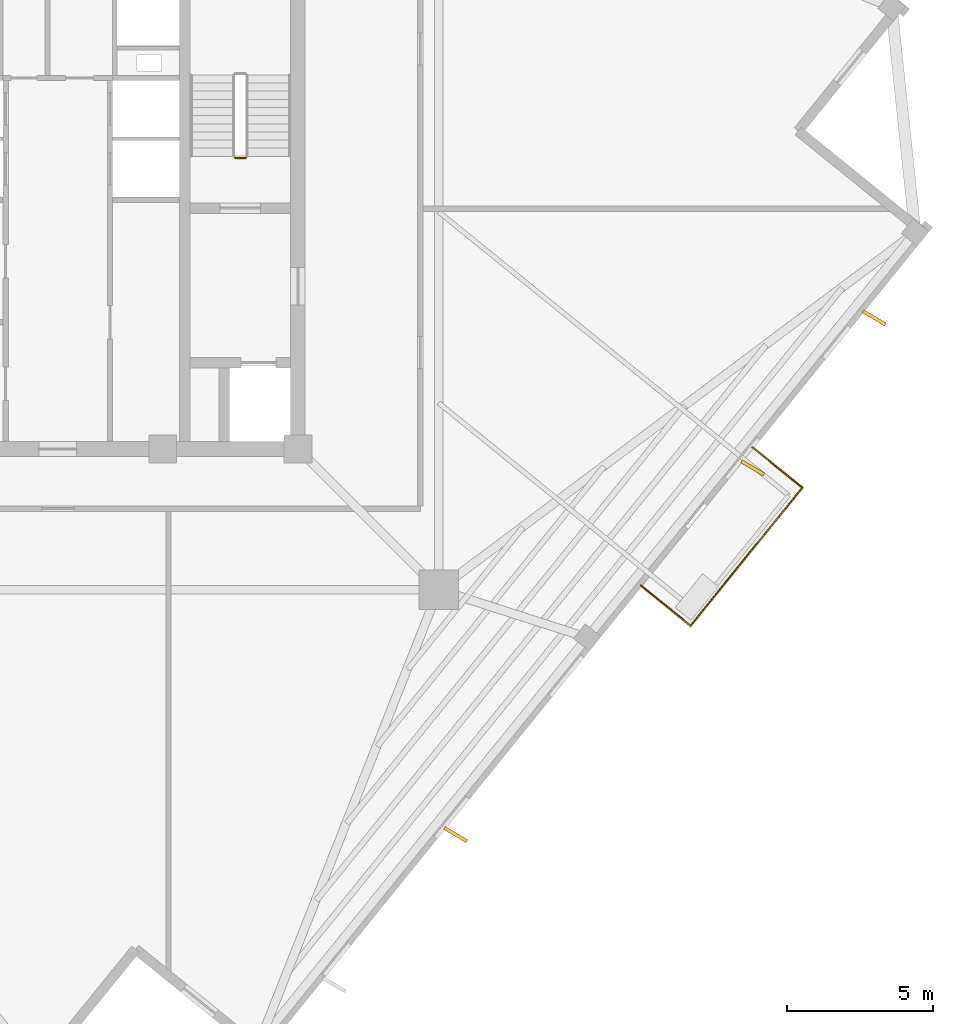
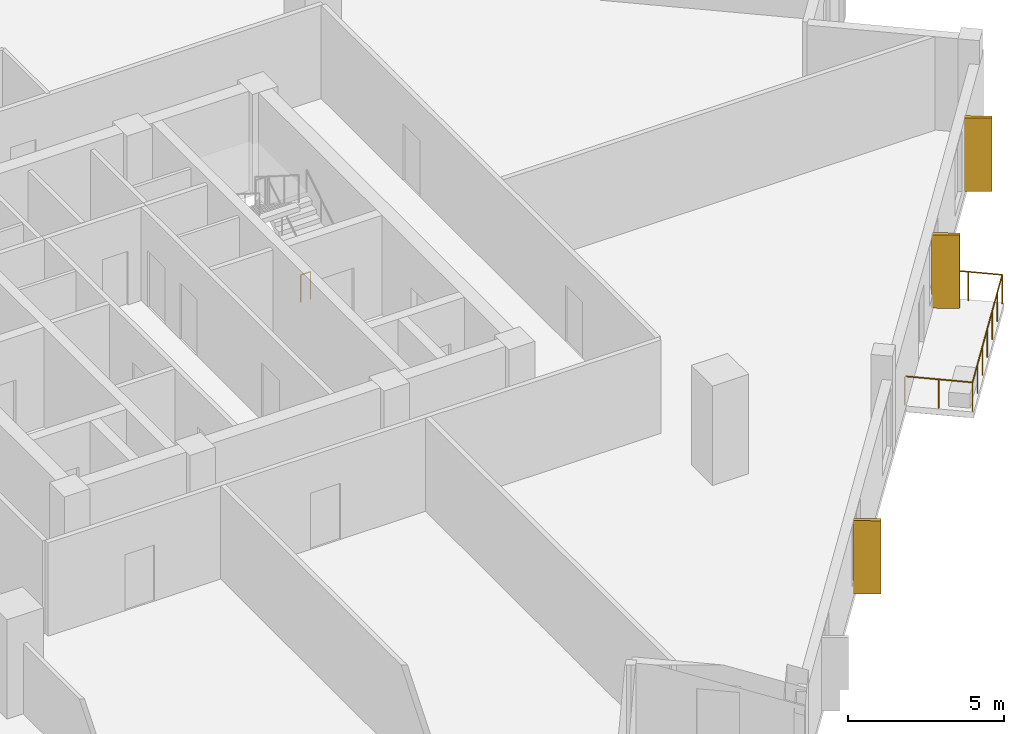
# One storey, part 7 of 9: 4 railings, 3 coverings.
"""IFC4 building model written with IfcOpenShell, lengths in metres."""

from ifc_helpers import new_model, si_unit, direction, frame, origin, origin_2d, place, context, subcontext, project, spatial, rectangle, circle, extrude, source, transform, mapped, material, layer, layer_set, type_object, element, save


model = new_model("IFC4")

# Units and contexts
model_context = context("Model", 3, precision=1e-05, world=origin(), true_north=direction((0.0, 1.0)))
body_context = subcontext(model_context, "Body", "Model", "MODEL_VIEW")
ifc_project = project(units=[si_unit("LENGTHUNIT", "METRE"), si_unit("AREAUNIT", "SQUARE_METRE"), si_unit("VOLUMEUNIT", "CUBIC_METRE"), si_unit("PLANEANGLEUNIT", "RADIAN"), si_unit("MASSUNIT", "GRAM", prefix="KILO"), si_unit("THERMODYNAMICTEMPERATUREUNIT", "KELVIN")], contexts=[model_context])

# Site, building, storey
site_placement = place(None, origin())
site = spatial("IfcSite", under=ifc_project, at=site_placement, CompositionType="ELEMENT")
building_placement = place(site_placement, origin())
building = spatial("IfcBuilding", under=site, at=building_placement, Name="Kosmvard Interchange Tower", CompositionType="ELEMENT")
storey_placement = place(building_placement, frame((0.0, 0.0, 244.60009765625)))
storey = spatial("IfcBuildingStorey", under=building, at=storey_placement, Name="L59", CompositionType="ELEMENT", Elevation=244.60009765625)

# Railings
ifc_material_1 = material(Name="Steel S355", Category="steel")
railing_type_1 = type_object("IfcRailingType", Name="Observation & Balcony Glass-Infill Balustrade 1150", PredefinedType="BALUSTRADE", material=ifc_material_1)
shared_shape_1 = source(origin(), body_context, "Body", "SweptSolid", [
    extrude(circle(Radius=0.02392578125, at=origin_2d()), frame((0.0, 0.0, 1.1259765625), z_axis=(0.777141488432, -0.629325914736, 0.0), x_axis=(0.629325914736, 0.777141488432, 0.0)), (0.0, 0.0, 1.0), 2.199951171875),
    extrude(circle(Radius=0.02099609375, at=origin_2d()), origin(), (0.0, 0.0, 1.0), 1.101806640625),
    extrude(circle(Radius=0.02099609375, at=origin_2d()), frame((0.85498046875, -0.6923828125, 0.0)), (0.0, 0.0, 1.0), 1.101806640625),
    extrude(circle(Radius=0.02099609375, at=origin_2d()), frame((1.709716796875, -1.384521484375, 0.0)), (0.0, 0.0, 1.0), 1.101806640625),
])
railing_1_placement = place(storey_placement, frame((20.023193359375, -12.93310546875, 0.0)))
element("IfcRailing", 1, at=railing_1_placement, inside=storey, type_object=railing_type_1, Name="L59 Outdoor Terrace Guard BAL-L59-SW-A", PredefinedType="BALUSTRADE", context=body_context, shape_type="MappedRepresentation", body=[
    mapped(shared_shape_1, transform((0.0, 0.0, 0.0), scale=1.0)),
])
shared_shape_2 = source(origin(), body_context, "Body", "SweptSolid", [
    extrude(circle(Radius=0.02392578125, at=origin_2d()), frame((0.0, 0.0, 1.1259765625), z_axis=(-0.777141488432, 0.629325914736, 0.0), x_axis=(-0.629325914736, -0.777141488432, 0.0)), (0.0, 0.0, 1.0), 2.199951171875),
    extrude(circle(Radius=0.02099609375, at=origin_2d()), origin(), (0.0, 0.0, 1.0), 1.101806640625),
    extrude(circle(Radius=0.02099609375, at=origin_2d()), frame((-0.85498046875, 0.6923828125, 0.0)), (0.0, 0.0, 1.0), 1.101806640625),
    extrude(circle(Radius=0.02099609375, at=origin_2d()), frame((-1.709716796875, 1.384521484375, 0.0)), (0.0, 0.0, 1.0), 1.101806640625),
])
railing_2_placement = place(storey_placement, frame((25.57177734375, -9.5771484375, 0.0)))
element("IfcRailing", 2, at=railing_2_placement, inside=storey, type_object=railing_type_1, Name="L59 Outdoor Terrace Guard BAL-L59-SW-C", PredefinedType="BALUSTRADE", context=body_context, shape_type="MappedRepresentation", body=[
    mapped(shared_shape_2, transform((0.0, 0.0, 0.0), scale=1.0)),
])

# Coverings
ifc_material_2 = material(Name="Architectural anodised aluminium", Category="aluminium")
ifc_layer = layer(ifc_material_2, 0.1201171875, Name="Architectural anodised aluminium")
ifc_layer_set = layer_set([ifc_layer], Name="Architectural anodised aluminium")
covering_type = type_object("IfcCoveringType", Name="Rotating Vertical Sun-Breaker Fin 900x120 Aluminium", PredefinedType="CLADDING", material=ifc_layer_set)
shared_shape_3 = source(origin(), body_context, "Body", "SweptSolid", [
    extrude(rectangle(XDim=0.89990234375, YDim=0.1201171875, at=origin_2d()), origin(), (0.0, 0.0, 1.0), 2.8798828125),
])
for number, where, z_axis, x_axis, name in (
    (3, (13.66748046875, -21.49658203125, 0.0400390625), (0.0, 0.0, 1.0), (0.860208488223, -0.509942503415, 0.0), "L59 Rotating Vertical Sun-Breaker Fin 02"),
    (4, (23.86865234375, -8.8994140625, 0.0400390625), (0.0, 0.0, 1.0), (0.860208488223, -0.509942503415, 0.0), "L59 Rotating Vertical Sun-Breaker Fin 03"),
    (5, (28.041748046875, -3.74609375, 0.0400390625), (0.0, 0.0, 1.0), (0.860208488223, -0.509942503415, 0.0), "L59 Rotating Vertical Sun-Breaker Fin 04"),
):
    element("IfcCovering", number, at=place(storey_placement, frame(where, z_axis=z_axis, x_axis=x_axis)), inside=storey, type_object=covering_type, Name=name, PredefinedType="CLADDING", context=body_context, shape_type="MappedRepresentation", body=[
        mapped(shared_shape_3, transform((0.0, 0.0, 0.0), scale=1.0)),
    ])

# Railings
shared_shape_4 = source(origin(), body_context, "Body", "SweptSolid", [
    extrude(circle(Radius=0.02392578125, at=origin_2d()), frame((0.0, 0.0, 1.1259765625), z_axis=(0.629330626282, 0.777137673017, 0.0), x_axis=(-0.777137673017, 0.629330626282, 0.0)), (0.0, 0.0, 1.0), 6.099853515625),
    extrude(circle(Radius=0.02099609375, at=origin_2d()), origin(), (0.0, 0.0, 1.0), 1.101806640625),
    extrude(circle(Radius=0.02099609375, at=origin_2d()), frame((0.639892578125, 0.7900390625, 0.0)), (0.0, 0.0, 1.0), 1.101806640625),
    extrude(circle(Radius=0.02099609375, at=origin_2d()), frame((1.279541015625, 1.580078125, 0.0)), (0.0, 0.0, 1.0), 1.101806640625),
    extrude(circle(Radius=0.02099609375, at=origin_2d()), frame((1.91943359375, 2.3701171875, 0.0)), (0.0, 0.0, 1.0), 1.101806640625),
    extrude(circle(Radius=0.02099609375, at=origin_2d()), frame((2.559326171875, 3.160400390625, 0.0)), (0.0, 0.0, 1.0), 1.101806640625),
    extrude(circle(Radius=0.02099609375, at=origin_2d()), frame((3.198974609375, 3.950439453125, 0.0)), (0.0, 0.0, 1.0), 1.101806640625),
    extrude(circle(Radius=0.02099609375, at=origin_2d()), frame((3.8388671875, 4.740478515625, 0.0)), (0.0, 0.0, 1.0), 1.101806640625),
])
railing_3_placement = place(storey_placement, frame((21.73291015625, -14.317626953125, 0.0)))
element("IfcRailing", 6, at=railing_3_placement, inside=storey, type_object=railing_type_1, Name="L59 Outdoor Terrace Guard BAL-L59-SW-B", PredefinedType="BALUSTRADE", context=body_context, shape_type="MappedRepresentation", body=[
    mapped(shared_shape_4, transform((0.0, 0.0, 0.0), scale=1.0)),
])
railing_type_2 = type_object("IfcRailingType", Name="Stair & Terrace Safety Guardrail 1100 Steel", PredefinedType="GUARDRAIL", material=ifc_material_1)
shared_shape_5 = source(origin(), body_context, "Body", "SweptSolid", [
    extrude(circle(Radius=0.02392578125, at=origin_2d()), frame((0.0, 0.0, 1.076171875), z_axis=(-1.0, 0.0, 0.0), x_axis=(0.0, -1.0, 0.0)), (0.0, 0.0, 1.0), 0.35986328125),
    extrude(circle(Radius=0.02099609375, at=origin_2d()), origin(), (0.0, 0.0, 1.0), 1.052001953125),
    extrude(circle(Radius=0.02099609375, at=origin_2d()), frame((-0.35986328125, 0.0, 0.0)), (0.0, 0.0, 1.0), 1.052001953125),
])
railing_4_placement = place(storey_placement, frame((6.449951171875, 1.75, 0.0)))
element("IfcRailing", 7, at=railing_4_placement, inside=storey, type_object=railing_type_2, Name="L59 ST-2 stair guard 4", PredefinedType="GUARDRAIL", context=body_context, shape_type="MappedRepresentation", body=[
    mapped(shared_shape_5, transform((0.0, 0.0, 0.0), scale=1.0)),
])

save(model, "model.ifc")
